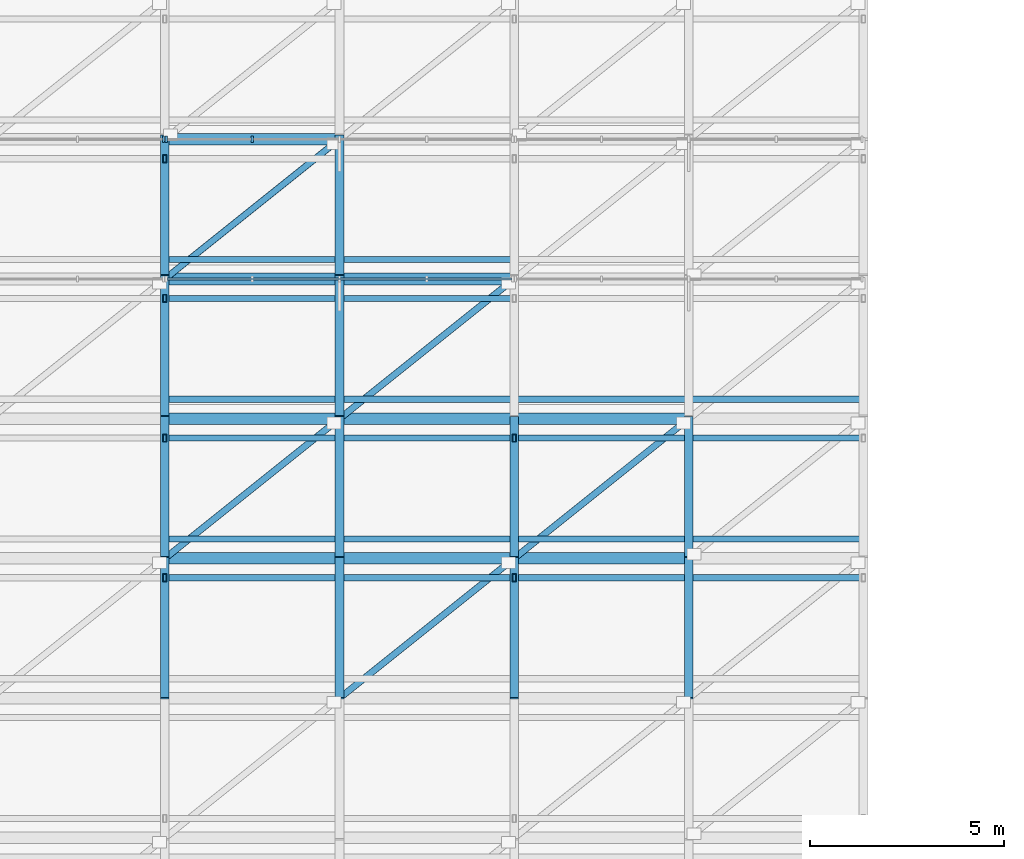
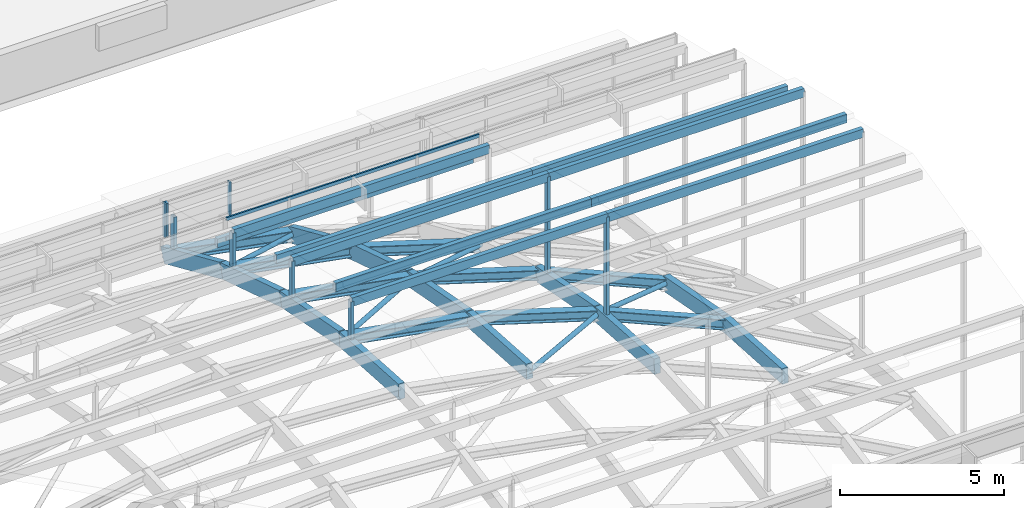
# One storey, part 31 of 69: 26 members, 21 beams, 3 elements without a shape of their own.
"""IFC4 building model written with IfcOpenShell, lengths in metres."""

from ifc_helpers import new_model, si_unit, direction, frame, origin, origin_2d, place, context, subcontext, project, spatial, rectangle, hollow_rectangle, hollow_circle, i_section, extrude, material, layer, layer_set, material_profile, profile_set, type_object, element, aggregate, save


model = new_model("IFC4")

# Units and contexts
model_context = context("Model", 3, precision=1e-05, world=origin(), true_north=direction((0.0, 1.0)))
body_context = subcontext(model_context, "Body", "Model", "MODEL_VIEW")
ifc_project = project(units=[si_unit("LENGTHUNIT", "METRE"), si_unit("AREAUNIT", "SQUARE_METRE"), si_unit("VOLUMEUNIT", "CUBIC_METRE"), si_unit("PLANEANGLEUNIT", "RADIAN"), si_unit("MASSUNIT", "GRAM", prefix="KILO")], contexts=[model_context])

# Site, building, storey
site_placement = place(None, origin())
site = spatial("IfcSite", under=ifc_project, at=site_placement, CompositionType="ELEMENT")
building_placement = place(site_placement, origin())
building = spatial("IfcBuilding", under=site, at=building_placement, Name="Montealbar Specialist Clinic", CompositionType="ELEMENT")
storey_placement = place(building_placement, frame((0.0, 0.0, 9.60009765625)))
storey = spatial("IfcBuildingStorey", under=building, at=storey_placement, Name="L02", CompositionType="ELEMENT", Elevation=9.60009765625)

# Beams
ifc_material_1 = material(Name="Steel S355", Category="steel")
ifc_material_profile_1 = material_profile(ifc_material_1, i_section(OverallWidth=0.300048828125, OverallDepth=0.360107421875, WebThickness=0.012451171875, FlangeThickness=0.0224609375, FilletRadius=0.027099609375, at=origin_2d()), Name="HEB 360", Category="steel")
ifc_profile_set_1 = profile_set([ifc_material_profile_1], Name="Steel S355")
beam_type_1 = type_object("IfcBeamType", Name="BM-GIRD-HEB360-EXT", PredefinedType="BEAM", material=ifc_profile_set_1)
beam_1_placement = place(storey_placement, frame((81.0, 66.60009765625, 10.67578125), z_axis=(0.983342446778, 0.0, -0.181762571407), x_axis=(0.0, 1.0, 0.0)))
element("IfcBeam", 1, at=beam_1_placement, inside=storey, type_object=beam_type_1, Name="Gridshell Roof Truss Arch Rib X 6-6", PredefinedType="BEAM", context=body_context, shape_type="SweptSolid", body=[
    extrude(i_section(OverallWidth=0.300048828125, OverallDepth=0.360107421875, WebThickness=0.012451171875, FlangeThickness=0.0224609375, FilletRadius=0.027099609375, at=origin_2d()), origin(), (0.0, 0.0, 1.0), 4.576171875),
])
beam_2_placement = place(storey_placement, frame((85.5, 66.60009765625, 9.843994140625), z_axis=(0.955697132972, 0.0, -0.294351813362), x_axis=(0.0, 1.0, 0.0)))
element("IfcBeam", 2, at=beam_2_placement, inside=storey, type_object=beam_type_1, Name="Gridshell Roof Truss Arch Rib X 6-7", PredefinedType="BEAM", context=body_context, shape_type="SweptSolid", body=[
    extrude(i_section(OverallWidth=0.300048828125, OverallDepth=0.360107421875, WebThickness=0.012451171875, FlangeThickness=0.0224609375, FilletRadius=0.027099609375, at=origin_2d()), origin(), (0.0, 0.0, 1.0), 4.70849609375),
])
beam_3_placement = place(storey_placement, frame((90.0, 66.60009765625, 8.4580078125), z_axis=(0.918284740285, 0.0, -0.395920618004), x_axis=(0.0, 1.0, 0.0)))
element("IfcBeam", 3, at=beam_3_placement, inside=storey, type_object=beam_type_1, Name="Gridshell Roof Truss Arch Rib X 6-8", PredefinedType="BEAM", context=body_context, shape_type="SweptSolid", body=[
    extrude(i_section(OverallWidth=0.300048828125, OverallDepth=0.360107421875, WebThickness=0.012451171875, FlangeThickness=0.0224609375, FilletRadius=0.027099609375, at=origin_2d()), origin(), (0.0, 0.0, 1.0), 4.900390625),
])
beam_4_placement = place(storey_placement, frame((81.0, 70.199951171875, 9.995849609375), z_axis=(0.983332910059, 0.0, -0.181814157849), x_axis=(0.0, 1.0, 0.0)))
element("IfcBeam", 4, at=beam_4_placement, inside=storey, type_object=beam_type_1, Name="Gridshell Roof Truss Arch Rib X 7-6", PredefinedType="BEAM", context=body_context, shape_type="SweptSolid", body=[
    extrude(i_section(OverallWidth=0.300048828125, OverallDepth=0.360107421875, WebThickness=0.012451171875, FlangeThickness=0.0224609375, FilletRadius=0.027099609375, at=origin_2d()), origin(), (0.0, 0.0, 1.0), 4.576171875),
])
beam_5_placement = place(storey_placement, frame((85.5, 70.199951171875, 9.163818359375), z_axis=(0.955697132972, 0.0, -0.294351813362), x_axis=(0.0, 1.0, 0.0)))
element("IfcBeam", 5, at=beam_5_placement, inside=storey, type_object=beam_type_1, Name="Gridshell Roof Truss Arch Rib X 7-7", PredefinedType="BEAM", context=body_context, shape_type="SweptSolid", body=[
    extrude(i_section(OverallWidth=0.300048828125, OverallDepth=0.360107421875, WebThickness=0.012451171875, FlangeThickness=0.0224609375, FilletRadius=0.027099609375, at=origin_2d()), origin(), (0.0, 0.0, 1.0), 4.70849609375),
])
beam_6_placement = place(storey_placement, frame((90.0, 70.199951171875, 7.77783203125), z_axis=(0.918302852681, 0.0, -0.395878606087), x_axis=(0.0, 1.0, 0.0)))
element("IfcBeam", 6, at=beam_6_placement, inside=storey, type_object=beam_type_1, Name="Gridshell Roof Truss Arch Rib X 7-8", PredefinedType="BEAM", context=body_context, shape_type="SweptSolid", body=[
    extrude(i_section(OverallWidth=0.300048828125, OverallDepth=0.360107421875, WebThickness=0.012451171875, FlangeThickness=0.0224609375, FilletRadius=0.027099609375, at=origin_2d()), origin(), (0.0, 0.0, 1.0), 4.900390625),
])
beam_7_placement = place(storey_placement, frame((81.0, 73.800048828125, 8.86181640625), z_axis=(0.983332910059, 0.0, -0.181814157849), x_axis=(0.0, 1.0, 0.0)))
element("IfcBeam", 7, at=beam_7_placement, inside=storey, type_object=beam_type_1, Name="Gridshell Roof Truss Arch Rib X 8-6", PredefinedType="BEAM", context=body_context, shape_type="SweptSolid", body=[
    extrude(i_section(OverallWidth=0.300048828125, OverallDepth=0.360107421875, WebThickness=0.012451171875, FlangeThickness=0.0224609375, FilletRadius=0.027099609375, at=origin_2d()), origin(), (0.0, 0.0, 1.0), 4.576171875),
])
beam_8_placement = place(storey_placement, frame((85.5, 73.800048828125, 8.02978515625), z_axis=(0.955697132972, 0.0, -0.294351813362), x_axis=(0.0, 1.0, 0.0)))
element("IfcBeam", 8, at=beam_8_placement, inside=storey, type_object=beam_type_1, Name="Gridshell Roof Truss Arch Rib X 8-7", PredefinedType="BEAM", context=body_context, shape_type="SweptSolid", body=[
    extrude(i_section(OverallWidth=0.300048828125, OverallDepth=0.360107421875, WebThickness=0.012451171875, FlangeThickness=0.0224609375, FilletRadius=0.027099609375, at=origin_2d()), origin(), (0.0, 0.0, 1.0), 4.70849609375),
])
ifc_material_profile_2 = material_profile(ifc_material_1, i_section(OverallWidth=0.300048828125, OverallDepth=0.39990234375, WebThickness=0.013427734375, FlangeThickness=0.02392578125, FilletRadius=0.027099609375, at=origin_2d()), Name="HEB 400", Category="steel")
ifc_profile_set_2 = profile_set([ifc_material_profile_2], Name="Steel S355")
beam_type_2 = type_object("IfcBeamType", Name="BM-GIRD-HEB400-EXT", PredefinedType="BEAM", material=ifc_profile_set_2)
beam_9_placement = place(storey_placement, frame((81.0, 77.39990234375, 7.27392578125), z_axis=(0.983332910059, 0.0, -0.181814157849), x_axis=(0.0, 1.0, 0.0)))
element("IfcBeam", 9, at=beam_9_placement, inside=storey, type_object=beam_type_2, Name="Gridshell Roof Truss Arch Rib X 9-6", PredefinedType="BEAM", context=body_context, shape_type="SweptSolid", body=[
    extrude(i_section(OverallWidth=0.300048828125, OverallDepth=0.39990234375, WebThickness=0.013427734375, FlangeThickness=0.02392578125, FilletRadius=0.027099609375, at=origin_2d()), origin(), (0.0, 0.0, 1.0), 4.576171875),
])
ifc_material_2 = material(Name="Glulam GL28h", Category="wood")
ifc_material_profile_3 = material_profile(ifc_material_2, rectangle(XDim=0.219970703125, YDim=0.56005859375, at=origin_2d()), Name="GL28h 220x560", Category="wood")
ifc_profile_set_3 = profile_set([ifc_material_profile_3], Name="Glulam GL28h")
beam_type_3 = type_object("IfcBeamType", Name="BM-GL-220x560-EXT", PredefinedType="BEAM", material=ifc_profile_set_3)
beam_10_placement = place(storey_placement, frame((81.0, 63.0, 10.90283203125), z_axis=(0.0, 0.998017130092, -0.062942895089), x_axis=(-1.0, 0.0, 0.0)))
element("IfcBeam", 10, at=beam_10_placement, inside=storey, type_object=beam_type_3, Name="Gridshell Glulam Roof Truss Rib Y 6-5", PredefinedType="BEAM", context=body_context, shape_type="SweptSolid", body=[
    extrude(rectangle(XDim=0.219970703125, YDim=0.56005859375, at=origin_2d()), origin(), (0.0, 0.0, 1.0), 3.607177734375),
])
beam_11_placement = place(storey_placement, frame((81.0, 66.60009765625, 10.67578125), z_axis=(0.0, 0.982626127294, -0.185596050493), x_axis=(-1.0, 0.0, 0.0)))
element("IfcBeam", 11, at=beam_11_placement, inside=storey, type_object=beam_type_3, Name="Gridshell Glulam Roof Truss Rib Y 6-6", PredefinedType="BEAM", context=body_context, shape_type="SweptSolid", body=[
    extrude(rectangle(XDim=0.219970703125, YDim=0.56005859375, at=origin_2d()), origin(), (0.0, 0.0, 1.0), 3.66357421875),
])
beam_12_placement = place(storey_placement, frame((81.0, 70.199951171875, 9.995849609375), z_axis=(0.0, 0.953798460342, -0.300447161826), x_axis=(-1.0, 0.0, 0.0)))
element("IfcBeam", 12, at=beam_12_placement, inside=storey, type_object=beam_type_3, Name="Gridshell Glulam Roof Truss Rib Y 6-7", PredefinedType="BEAM", context=body_context, shape_type="SweptSolid", body=[
    extrude(rectangle(XDim=0.219970703125, YDim=0.56005859375, at=origin_2d()), origin(), (0.0, 0.0, 1.0), 3.7744140625),
])
beam_13_placement = place(storey_placement, frame((81.0, 73.800048828125, 8.86181640625), z_axis=(0.0, 0.914944084874, -0.403580625841), x_axis=(-1.0, 0.0, 0.0)))
element("IfcBeam", 13, at=beam_13_placement, inside=storey, type_object=beam_type_3, Name="Gridshell Glulam Roof Truss Rib Y 6-8", PredefinedType="BEAM", context=body_context, shape_type="SweptSolid", body=[
    extrude(rectangle(XDim=0.219970703125, YDim=0.56005859375, at=origin_2d()), origin(), (0.0, 0.0, 1.0), 3.9345703125),
])
beam_14_placement = place(storey_placement, frame((85.5, 63.0, 10.07080078125), z_axis=(0.0, 0.998021379395, -0.062875482264), x_axis=(-1.0, 0.0, 0.0)))
element("IfcBeam", 14, at=beam_14_placement, inside=storey, type_object=beam_type_3, Name="Gridshell Glulam Roof Truss Rib Y 7-5", PredefinedType="BEAM", context=body_context, shape_type="SweptSolid", body=[
    extrude(rectangle(XDim=0.219970703125, YDim=0.56005859375, at=origin_2d()), origin(), (0.0, 0.0, 1.0), 3.607177734375),
])
beam_15_placement = place(storey_placement, frame((85.5, 66.60009765625, 9.843994140625), z_axis=(0.0, 0.98261397186, -0.18566039509), x_axis=(-1.0, 0.0, 0.0)))
element("IfcBeam", 15, at=beam_15_placement, inside=storey, type_object=beam_type_3, Name="Gridshell Glulam Roof Truss Rib Y 7-6", PredefinedType="BEAM", context=body_context, shape_type="SweptSolid", body=[
    extrude(rectangle(XDim=0.219970703125, YDim=0.56005859375, at=origin_2d()), origin(), (0.0, 0.0, 1.0), 3.66357421875),
])
beam_16_placement = place(storey_placement, frame((85.5, 70.199951171875, 9.163818359375), z_axis=(0.0, 0.953798460342, -0.300447161826), x_axis=(-1.0, 0.0, 0.0)))
element("IfcBeam", 16, at=beam_16_placement, inside=storey, type_object=beam_type_3, Name="Gridshell Glulam Roof Truss Rib Y 7-7", PredefinedType="BEAM", context=body_context, shape_type="SweptSolid", body=[
    extrude(rectangle(XDim=0.219970703125, YDim=0.56005859375, at=origin_2d()), origin(), (0.0, 0.0, 1.0), 3.7744140625),
])
beam_17_placement = place(storey_placement, frame((85.5, 73.800048828125, 8.02978515625), z_axis=(0.0, 0.914944084874, -0.403580625841), x_axis=(-1.0, 0.0, 0.0)))
element("IfcBeam", 17, at=beam_17_placement, inside=storey, type_object=beam_type_3, Name="Gridshell Glulam Roof Truss Rib Y 7-8", PredefinedType="BEAM", context=body_context, shape_type="SweptSolid", body=[
    extrude(rectangle(XDim=0.219970703125, YDim=0.56005859375, at=origin_2d()), origin(), (0.0, 0.0, 1.0), 3.9345703125),
])
beam_18_placement = place(storey_placement, frame((90.0, 63.0, 8.684814453125), z_axis=(0.0, 0.998021379395, -0.062875482264), x_axis=(-1.0, 0.0, 0.0)))
element("IfcBeam", 18, at=beam_18_placement, inside=storey, type_object=beam_type_3, Name="Gridshell Glulam Roof Truss Rib Y 8-5", PredefinedType="BEAM", context=body_context, shape_type="SweptSolid", body=[
    extrude(rectangle(XDim=0.219970703125, YDim=0.56005859375, at=origin_2d()), origin(), (0.0, 0.0, 1.0), 3.607177734375),
])
beam_19_placement = place(storey_placement, frame((90.0, 66.60009765625, 8.4580078125), z_axis=(0.0, 0.98261397186, -0.18566039509), x_axis=(-1.0, 0.0, 0.0)))
element("IfcBeam", 19, at=beam_19_placement, inside=storey, type_object=beam_type_3, Name="Gridshell Glulam Roof Truss Rib Y 8-6", PredefinedType="BEAM", context=body_context, shape_type="SweptSolid", body=[
    extrude(rectangle(XDim=0.219970703125, YDim=0.56005859375, at=origin_2d()), origin(), (0.0, 0.0, 1.0), 3.66357421875),
])
beam_20_placement = place(storey_placement, frame((94.5, 63.0, 6.744873046875), z_axis=(0.0, 0.998017130092, -0.062942895089), x_axis=(-1.0, 0.0, 0.0)))
element("IfcBeam", 20, at=beam_20_placement, inside=storey, type_object=beam_type_3, Name="Gridshell Glulam Roof Truss Rib Y 9-5", PredefinedType="BEAM", context=body_context, shape_type="SweptSolid", body=[
    extrude(rectangle(XDim=0.219970703125, YDim=0.56005859375, at=origin_2d()), origin(), (0.0, 0.0, 1.0), 3.607177734375),
])
beam_21_placement = place(storey_placement, frame((94.5, 66.60009765625, 6.517822265625), z_axis=(0.0, 0.982626127294, -0.185596050493), x_axis=(-1.0, 0.0, 0.0)))
element("IfcBeam", 21, at=beam_21_placement, inside=storey, type_object=beam_type_3, Name="Gridshell Glulam Roof Truss Rib Y 9-6", PredefinedType="BEAM", context=body_context, shape_type="SweptSolid", body=[
    extrude(rectangle(XDim=0.219970703125, YDim=0.56005859375, at=origin_2d()), origin(), (0.0, 0.0, 1.0), 3.66357421875),
])

# Curtain wall, member
ifc_material_3 = material(Name="Low-E double glazing", Category="glass")
ifc_layer_1 = layer(ifc_material_3, 0.199951171875, Name="Low-E double glazing", Category="glass")
ifc_layer_set_1 = layer_set([ifc_layer_1], Name="Low-E double glazing")
curtain_wall_type_1 = type_object("IfcCurtainWallType", Name="CW-TYPE-47", PredefinedType="NOTDEFINED", material=ifc_layer_set_1)
curtain_wall_1_placement = place(storey_placement, origin())
curtain_wall_1 = element("IfcCurtainWall", 22, at=curtain_wall_1_placement, inside=storey, type_object=curtain_wall_type_1, Name="Unitised Curtain Wall CW-L02-720-774-810-774-175", PredefinedType="NOTDEFINED")
ifc_material_4 = material(Name="Anodised aluminium EN AW-6063", Category="aluminium")
ifc_material_profile_4 = material_profile(ifc_material_4, rectangle(XDim=0.06005859375, YDim=0.159912109375, at=origin_2d()), Name="ALU 60x160", Category="aluminium")
ifc_profile_set_4 = profile_set([ifc_material_profile_4], Name="Anodised aluminium EN AW-6063")
member_type_1 = type_object("IfcMemberType", Name="CW-MUL-160", PredefinedType="MULLION", material=ifc_profile_set_4)
member_1_placement = place(storey_placement, frame((80.965087890625, 77.39990234375, 7.933837890625), z_axis=(0.0, 0.0, 1.0), x_axis=(1.0, 0.0, 0.0)))
member_1 = element("IfcMember", 23, at=member_1_placement, type_object=member_type_1, Name="Curtain Wall Mullion CW-L02-720-774-810-774-175-04", PredefinedType="MULLION", context=body_context, shape_type="SweptSolid", body=[
    extrude(rectangle(XDim=0.06005859375, YDim=0.159912109375, at=origin_2d()), origin(), (0.0, 0.0, 1.0), 1.257080078125),
])
aggregate(curtain_wall_1, [member_1])

# Curtain wall, members
curtain_wall_2_placement = place(storey_placement, origin())
curtain_wall_2 = element("IfcCurtainWall", 24, at=curtain_wall_2_placement, inside=storey, type_object=curtain_wall_type_1, Name="Unitised Curtain Wall CW-L02-810-774-900-774-175", PredefinedType="NOTDEFINED")
member_2_placement = place(storey_placement, frame((81.034912109375, 77.39990234375, 7.933837890625), z_axis=(0.0, 0.0, 1.0), x_axis=(1.0, 0.0, 0.0)))
member_2 = element("IfcMember", 25, at=member_2_placement, type_object=member_type_1, Name="Curtain Wall Mullion CW-L02-810-774-900-774-175-00", PredefinedType="MULLION", context=body_context, shape_type="SweptSolid", body=[
    extrude(rectangle(XDim=0.06005859375, YDim=0.159912109375, at=origin_2d()), origin(), (0.0, 0.0, 1.0), 1.257080078125),
])
member_3_placement = place(storey_placement, frame((83.25, 77.39990234375, 7.933837890625), z_axis=(0.0, 0.0, 1.0), x_axis=(1.0, 0.0, 0.0)))
member_3 = element("IfcMember", 26, at=member_3_placement, type_object=member_type_1, Name="Curtain Wall Mullion CW-L02-810-774-900-774-175-01", PredefinedType="MULLION", context=body_context, shape_type="SweptSolid", body=[
    extrude(rectangle(XDim=0.06005859375, YDim=0.159912109375, at=origin_2d()), origin(), (0.0, 0.0, 1.0), 1.257080078125),
])
aggregate(curtain_wall_2, [member_2, member_3])

ifc_layer_2 = layer(ifc_material_3, 0.199951171875, Name="Low-E double glazing", Category="glass")
ifc_layer_set_2 = layer_set([ifc_layer_2], Name="Low-E double glazing")
curtain_wall_type_2 = type_object("IfcCurtainWallType", Name="CW-TYPE-48", PredefinedType="NOTDEFINED", material=ifc_layer_set_2)
curtain_wall_3_placement = place(storey_placement, origin())
curtain_wall_3 = element("IfcCurtainWall", 27, at=curtain_wall_3_placement, inside=storey, type_object=curtain_wall_type_2, Name="Unitised Curtain Wall CW-L02-810-738-900-738-196", PredefinedType="NOTDEFINED")
ifc_material_5 = material(Name="Powder-coated aluminium", Category="aluminium")
ifc_material_profile_5 = material_profile(ifc_material_5, rectangle(XDim=0.06005859375, YDim=0.1201171875, at=origin_2d()), Name="ALU 60x120", Category="aluminium")
ifc_profile_set_5 = profile_set([ifc_material_profile_5], Name="Powder-coated aluminium")
member_type_2 = type_object("IfcMemberType", Name="CW-TRN-120", PredefinedType="USERDEFINED", material=ifc_profile_set_5)
member_4_placement = place(storey_placement, frame((81.050048828125, 73.800048828125, 10.014892578125), z_axis=(1.0, 0.0, 0.0), x_axis=(0.0, 1.0, 0.0)))
member_4 = element("IfcMember", 28, at=member_4_placement, type_object=member_type_2, Name="Curtain Wall Transom CW-L02-810-738-900-738-196-00", ObjectType="TRANSOM", PredefinedType="USERDEFINED", context=body_context, shape_type="SweptSolid", body=[
    extrude(rectangle(XDim=0.06005859375, YDim=0.1201171875, at=origin_2d()), origin(), (0.0, 0.0, 1.0), 8.89990234375),
])
member_5_placement = place(storey_placement, frame((81.050048828125, 73.800048828125, 10.739013671875), z_axis=(1.0, 0.0, 0.0), x_axis=(0.0, 1.0, 0.0)))
member_5 = element("IfcMember", 29, at=member_5_placement, type_object=member_type_2, Name="Curtain Wall Transom CW-L02-810-738-900-738-196-01", ObjectType="TRANSOM", PredefinedType="USERDEFINED", context=body_context, shape_type="SweptSolid", body=[
    extrude(rectangle(XDim=0.06005859375, YDim=0.1201171875, at=origin_2d()), origin(), (0.0, 0.0, 1.0), 8.89990234375),
])
aggregate(curtain_wall_3, [member_4, member_5])

# Members
ifc_material_profile_6 = material_profile(ifc_material_1, hollow_circle(Radius=0.084228515625, WallThickness=0.008056640625, at=origin_2d()), Name="CHS 168.3x8.0", Category="steel")
ifc_profile_set_6 = profile_set([ifc_material_profile_6], Name="Steel S355")
member_type_3 = type_object("IfcMemberType", Name="MB-GS-DIAG-EXT", PredefinedType="BRACE", material=ifc_profile_set_6)
member_6_placement = place(storey_placement, frame((81.0, 66.60009765625, 10.67578125), z_axis=(0.755316659111, 0.604228740158, -0.253780168722), x_axis=(-0.624679547852, 0.780881208953, 0.0)))
element("IfcMember", 30, at=member_6_placement, inside=storey, type_object=member_type_3, Name="Gridshell Roof Brace 6-6", PredefinedType="BRACE", context=body_context, shape_type="SweptSolid", body=[
    extrude(hollow_circle(Radius=0.084228515625, WallThickness=0.008056640625, at=origin_2d()), origin(), (0.0, 0.0, 1.0), 5.957763671875),
])
member_7_placement = place(storey_placement, frame((81.0, 73.800048828125, 8.86181640625), z_axis=(0.719977263223, 0.575958373819, -0.387175273061), x_axis=(-0.624679547852, 0.780881208953, 0.0)))
element("IfcMember", 31, at=member_7_placement, inside=storey, type_object=member_type_3, Name="Gridshell Roof Brace 6-8", PredefinedType="BRACE", context=body_context, shape_type="SweptSolid", body=[
    extrude(hollow_circle(Radius=0.084228515625, WallThickness=0.008056640625, at=origin_2d()), origin(), (0.0, 0.0, 1.0), 6.250244140625),
])
member_8_placement = place(storey_placement, frame((85.5, 63.0, 10.07080078125), z_axis=(0.751968091685, 0.6015907921, -0.26950418911), x_axis=(-0.624705380279, 0.780860543151, 0.0)))
element("IfcMember", 32, at=member_8_placement, inside=storey, type_object=member_type_3, Name="Gridshell Roof Brace 7-5", PredefinedType="BRACE", context=body_context, shape_type="SweptSolid", body=[
    extrude(hollow_circle(Radius=0.084228515625, WallThickness=0.008056640625, at=origin_2d()), origin(), (0.0, 0.0, 1.0), 5.984375),
])
member_9_placement = place(storey_placement, frame((85.5, 70.199951171875, 9.163818359375), z_axis=(0.715447510632, 0.57237353471, -0.400653711195), x_axis=(-0.624705380279, 0.780860543151, 0.0)))
element("IfcMember", 33, at=member_9_placement, inside=storey, type_object=member_type_3, Name="Gridshell Roof Brace 7-7", PredefinedType="BRACE", context=body_context, shape_type="SweptSolid", body=[
    extrude(hollow_circle(Radius=0.084228515625, WallThickness=0.008056640625, at=origin_2d()), origin(), (0.0, 0.0, 1.0), 6.289794921875),
])
member_10_placement = place(storey_placement, frame((90.0, 66.60009765625, 8.4580078125), z_axis=(0.710855596279, 0.568661337192, -0.413894436809), x_axis=(-0.624679547852, 0.780881208953, 0.0)))
element("IfcMember", 34, at=member_10_placement, inside=storey, type_object=member_type_3, Name="Gridshell Roof Brace 8-6", PredefinedType="BRACE", context=body_context, shape_type="SweptSolid", body=[
    extrude(hollow_circle(Radius=0.084228515625, WallThickness=0.008056640625, at=origin_2d()), origin(), (0.0, 0.0, 1.0), 6.330322265625),
])
ifc_material_profile_7 = material_profile(ifc_material_2, rectangle(XDim=0.159912109375, YDim=0.320068359375, at=origin_2d()), Name="GL28h 160x320", Category="wood")
ifc_profile_set_7 = profile_set([ifc_material_profile_7], Name="Glulam GL28h")
member_type_4 = type_object("IfcMemberType", Name="MB-GS-PURLIN-GL-EXT", PredefinedType="PURLIN", material=ifc_profile_set_7)
for number, where, z_axis, x_axis, name in (
    (35, (81.0, 66.10009765625, 12.367919921875), (1.0, 0.0, 0.0), (0.0, 1.0, 0.0), "Gridshell Glulam Purlin 6-4-2"),
    (36, (90.0, 66.10009765625, 12.367919921875), (1.0, 0.0, 0.0), (0.0, 1.0, 0.0), "Gridshell Glulam Purlin 6-5-2"),
    (37, (81.0, 67.10009765625, 12.31201171875), (1.0, 0.0, 0.0), (0.0, 1.0, 0.0), "Gridshell Glulam Purlin 7-4-1"),
    (38, (81.0, 69.699951171875, 11.68798828125), (1.0, 0.0, 0.0), (0.0, 1.0, 0.0), "Gridshell Glulam Purlin 7-4-2"),
    (39, (90.0, 67.10009765625, 12.31201171875), (1.0, 0.0, 0.0), (0.0, 1.0, 0.0), "Gridshell Glulam Purlin 7-5-1"),
    (40, (90.0, 69.699951171875, 11.68798828125), (1.0, 0.0, 0.0), (0.0, 1.0, 0.0), "Gridshell Glulam Purlin 7-5-2"),
    (41, (81.0, 70.699951171875, 11.177978515625), (1.0, 0.0, 0.0), (0.0, 1.0, 0.0), "Gridshell Glulam Purlin 8-4-1"),
    (42, (81.0, 73.300048828125, 10.553955078125), (1.0, 0.0, 0.0), (0.0, 1.0, 0.0), "Gridshell Glulam Purlin 8-4-2"),
    (43, (90.0, 70.699951171875, 11.177978515625), (1.0, 0.0, 0.0), (0.0, 1.0, 0.0), "Gridshell Glulam Purlin 8-5-1"),
    (44, (81.0, 74.300048828125, 9.58984375), (1.0, 0.0, 0.0), (0.0, 1.0, 0.0), "Gridshell Glulam Purlin 9-4-1"),
):
    element("IfcMember", number, at=place(storey_placement, frame(where, z_axis=z_axis, x_axis=x_axis)), inside=storey, type_object=member_type_4, Name=name, PredefinedType="PURLIN", context=body_context, shape_type="SweptSolid", body=[
        extrude(rectangle(XDim=0.159912109375, YDim=0.320068359375, at=origin_2d()), origin(), (0.0, 0.0, 1.0), 9.0),
    ])
ifc_material_profile_8 = material_profile(ifc_material_1, hollow_rectangle(XDim=0.10009765625, YDim=0.199951171875, WallThickness=0.008056640625, at=origin_2d()), Name="RHS 200x100x8", Category="steel")
ifc_profile_set_8 = profile_set([ifc_material_profile_8], Name="Steel S355")
member_type_5 = type_object("IfcMemberType", Name="MB-GS-PURLIN-ST-EXT", PredefinedType="PURLIN", material=ifc_profile_set_8)
member_11_placement = place(storey_placement, frame((81.0, 66.10009765625, 10.67578125), z_axis=(0.0, 0.0, 1.0), x_axis=(1.0, 0.0, 0.0)))
element("IfcMember", 45, at=member_11_placement, inside=storey, type_object=member_type_5, Name="Gridshell Monitor Post 6-6", PredefinedType="PURLIN", context=body_context, shape_type="SweptSolid", body=[
    extrude(hollow_rectangle(XDim=0.10009765625, YDim=0.199951171875, WallThickness=0.008056640625, at=origin_2d()), origin(), (0.0, 0.0, 1.0), 1.734130859375),
])
member_12_placement = place(storey_placement, frame((90.0, 66.10009765625, 8.4580078125), z_axis=(0.0, 0.0, 1.0), x_axis=(1.0, 0.0, 0.0)))
element("IfcMember", 46, at=member_12_placement, inside=storey, type_object=member_type_5, Name="Gridshell Monitor Post 6-8", PredefinedType="PURLIN", context=body_context, shape_type="SweptSolid", body=[
    extrude(hollow_rectangle(XDim=0.10009765625, YDim=0.199951171875, WallThickness=0.008056640625, at=origin_2d()), origin(), (0.0, 0.0, 1.0), 3.951904296875),
])
member_13_placement = place(storey_placement, frame((81.0, 69.699951171875, 9.995849609375), z_axis=(0.0, 0.0, 1.0), x_axis=(1.0, 0.0, 0.0)))
element("IfcMember", 47, at=member_13_placement, inside=storey, type_object=member_type_5, Name="Gridshell Monitor Post 7-6", PredefinedType="PURLIN", context=body_context, shape_type="SweptSolid", body=[
    extrude(hollow_rectangle(XDim=0.10009765625, YDim=0.199951171875, WallThickness=0.008056640625, at=origin_2d()), origin(), (0.0, 0.0, 1.0), 1.734130859375),
])
member_14_placement = place(storey_placement, frame((90.0, 69.699951171875, 7.77783203125), z_axis=(0.0, 0.0, 1.0), x_axis=(1.0, 0.0, 0.0)))
element("IfcMember", 48, at=member_14_placement, inside=storey, type_object=member_type_5, Name="Gridshell Monitor Post 7-8", PredefinedType="PURLIN", context=body_context, shape_type="SweptSolid", body=[
    extrude(hollow_rectangle(XDim=0.10009765625, YDim=0.199951171875, WallThickness=0.008056640625, at=origin_2d()), origin(), (0.0, 0.0, 1.0), 3.9521484375),
])
member_15_placement = place(storey_placement, frame((81.0, 73.300048828125, 8.86181640625), z_axis=(0.0, 0.0, 1.0), x_axis=(1.0, 0.0, 0.0)))
element("IfcMember", 49, at=member_15_placement, inside=storey, type_object=member_type_5, Name="Gridshell Monitor Post 8-6", PredefinedType="PURLIN", context=body_context, shape_type="SweptSolid", body=[
    extrude(hollow_rectangle(XDim=0.10009765625, YDim=0.199951171875, WallThickness=0.008056640625, at=origin_2d()), origin(), (0.0, 0.0, 1.0), 1.734130859375),
])
member_16_placement = place(storey_placement, frame((81.0, 76.89990234375, 7.27392578125), z_axis=(0.0, 0.0, 1.0), x_axis=(1.0, 0.0, 0.0)))
element("IfcMember", 50, at=member_16_placement, inside=storey, type_object=member_type_5, Name="Gridshell Monitor Post 9-6", PredefinedType="PURLIN", context=body_context, shape_type="SweptSolid", body=[
    extrude(hollow_rectangle(XDim=0.10009765625, YDim=0.199951171875, WallThickness=0.008056640625, at=origin_2d()), origin(), (0.0, 0.0, 1.0), 1.73388671875),
])

save(model, "model.ifc")
